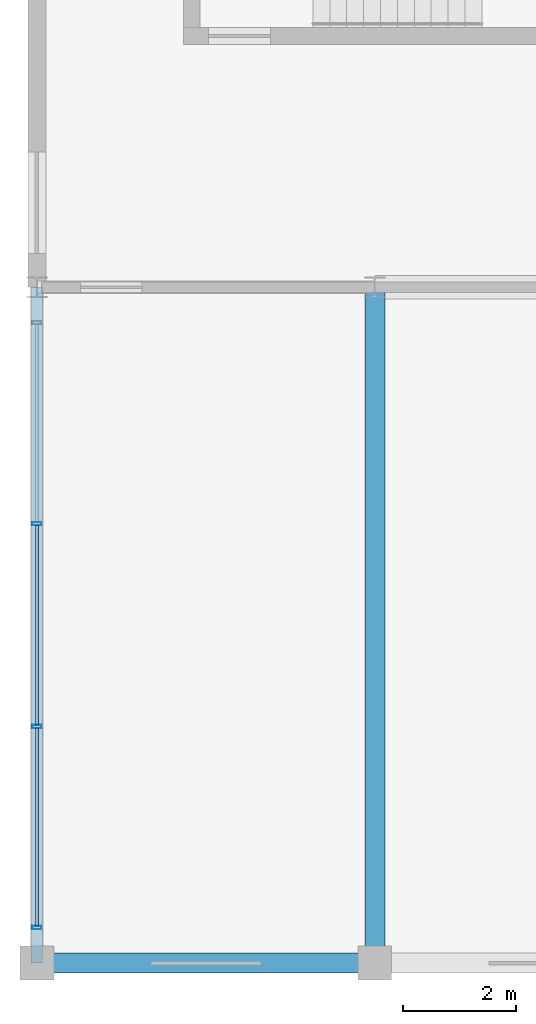
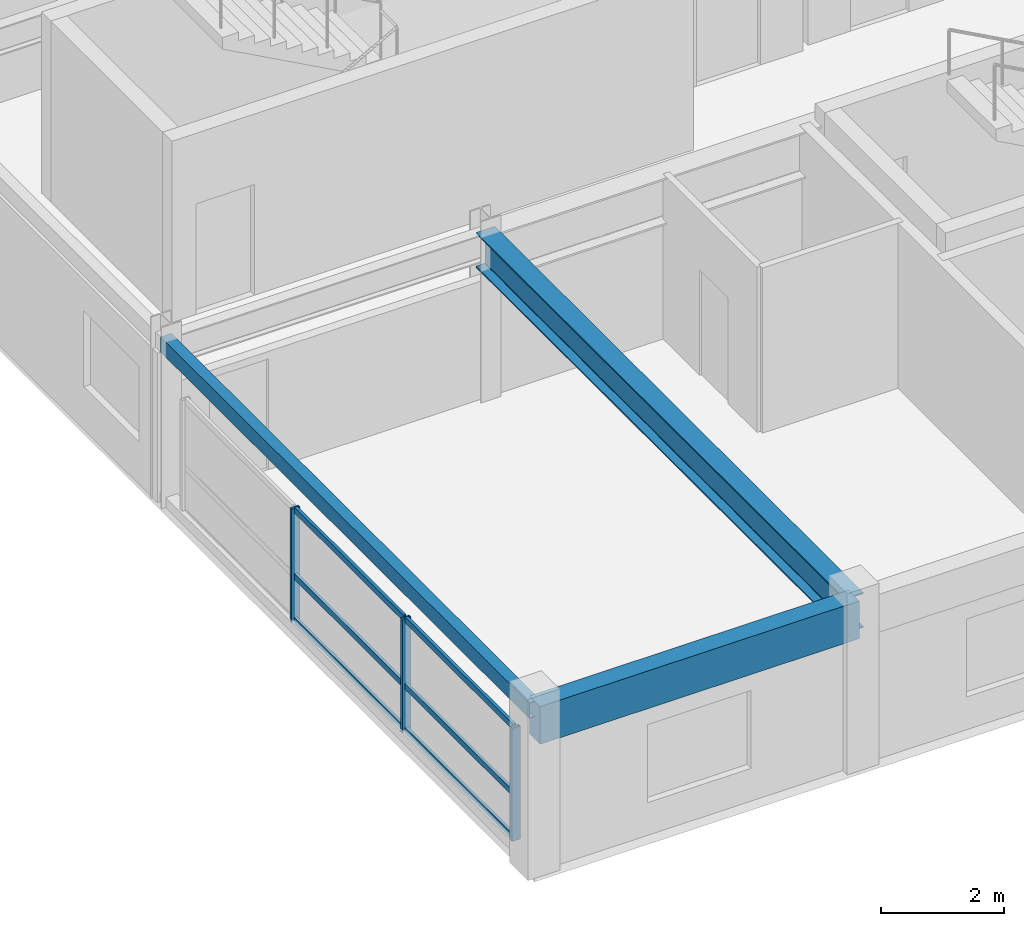
# One storey, part 2 of 22: 9 members, 3 beams, 1 element without a shape of its own.
"""IFC4 building model written with IfcOpenShell, lengths in metres."""

from ifc_helpers import new_model, si_unit, direction, frame, origin, origin_2d, place, context, subcontext, project, spatial, rectangle, hollow_rectangle, i_section, extrude, material, material_profile, profile_set, type_object, element, aggregate, save


model = new_model("IFC4")

# Units and contexts
model_context = context("Model", 3, precision=1e-05, world=origin(), true_north=direction((0.0, 1.0)))
body_context = subcontext(model_context, "Body", "Model", "MODEL_VIEW")
ifc_project = project(units=[si_unit("LENGTHUNIT", "METRE"), si_unit("AREAUNIT", "SQUARE_METRE"), si_unit("VOLUMEUNIT", "CUBIC_METRE"), si_unit("PLANEANGLEUNIT", "RADIAN"), si_unit("MASSUNIT", "GRAM", prefix="KILO")], contexts=[model_context])

# Site, building, storey
site_placement = place(None, origin())
site = spatial("IfcSite", under=ifc_project, at=site_placement, CompositionType="ELEMENT")
building_placement = place(site_placement, origin())
building = spatial("IfcBuilding", under=site, at=building_placement, Name="Kaldorvane Square Convention Centre", CompositionType="ELEMENT")
storey_placement = place(building_placement, frame((0.0, 0.0, 67.19999694824219)))
storey = spatial("IfcBuildingStorey", under=building, at=storey_placement, Name="L16", CompositionType="ELEMENT", Elevation=67.19999694824219)

# Beams
ifc_material_1 = material(Name="Steel ASTM A992 Gr. 50", Category="steel")
ifc_material_profile_1 = material_profile(ifc_material_1, i_section(OverallWidth=0.354705810546875, OverallDepth=0.69549560546875, WebThickness=0.0153961181640625, FlangeThickness=0.0251007080078125, FilletRadius=0.01519775390625, at=origin_2d()), Name="W27X146")
ifc_profile_set_1 = profile_set([ifc_material_profile_1], Name="Steel ASTM A992 Gr. 50")
beam_type_1 = type_object("IfcBeamType", Name="BM-GR-W27X146", PredefinedType="BEAM", material=ifc_profile_set_1)
beam_1_placement = place(storey_placement, frame((42.0, 84.0, 2.9282073974609375), z_axis=(0.0, 1.0, 0.0), x_axis=(-1.0, 0.0, 0.0)))
element("IfcBeam", 1, at=beam_1_placement, inside=storey, type_object=beam_type_1, Name="Transverse Girder (L16)", PredefinedType="BEAM", context=body_context, shape_type="SweptSolid", body=[
    extrude(i_section(OverallWidth=0.354705810546875, OverallDepth=0.69549560546875, WebThickness=0.0153961181640625, FlangeThickness=0.0251007080078125, FilletRadius=0.01519775390625, at=origin_2d()), origin(), (0.0, 0.0, 1.0), 12.0),
])
ifc_material_2 = material(Name="Steel ASTM A500 Gr. C", Category="steel")
ifc_material_profile_2 = material_profile(ifc_material_2, hollow_rectangle(XDim=0.2032012939453125, YDim=0.3047943115234375, WallThickness=0.0088958740234375, at=origin_2d()), Name="HSS12X8X3/8")
ifc_profile_set_2 = profile_set([ifc_material_profile_2], Name="Steel ASTM A500 Gr. C")
beam_type_2 = type_object("IfcBeamType", Name="BM-SP-HSS12", PredefinedType="SPANDREL", material=ifc_profile_set_2)
beam_2_placement = place(storey_placement, frame((36.0, 84.0, 3.12359619140625), z_axis=(0.0, 1.0, 0.0), x_axis=(-1.0, 0.0, 0.0)))
element("IfcBeam", 2, at=beam_2_placement, inside=storey, type_object=beam_type_2, Name="End Spandrel (L16)", PredefinedType="SPANDREL", context=body_context, shape_type="SweptSolid", body=[
    extrude(hollow_rectangle(XDim=0.2032012939453125, YDim=0.3047943115234375, WallThickness=0.0088958740234375, at=origin_2d()), origin(), (0.0, 0.0, 1.0), 12.0),
])
ifc_material_3 = material(Name="Concrete f'c = 42 MPa (Normalweight)", Category="concrete")
ifc_material_profile_3 = material_profile(ifc_material_3, rectangle(XDim=0.350006103515625, YDim=0.75, at=origin_2d()), Name="RCSP750X350")
ifc_profile_set_3 = profile_set([ifc_material_profile_3], Name="Concrete f'c = 42 MPa (Normalweight)")
beam_type_3 = type_object("IfcBeamType", Name="BM-SP-RC750", PredefinedType="SPANDREL", material=ifc_profile_set_3)
beam_3_placement = place(storey_placement, frame((36.0, 84.0, 2.9010009765625), z_axis=(1.0, 0.0, 0.0), x_axis=(0.0, 1.0, 0.0)))
element("IfcBeam", 3, at=beam_3_placement, inside=storey, type_object=beam_type_3, Name="Perimeter Spandrel (L16)", PredefinedType="SPANDREL", context=body_context, shape_type="SweptSolid", body=[
    extrude(rectangle(XDim=0.350006103515625, YDim=0.75, at=origin_2d()), origin(), (0.0, 0.0, 1.0), 6.0),
])

# Curtain wall, members
ifc_material_4 = material(Name="Anodized Aluminum and Low-E Insulated Glazing", Category="aluminium")
curtain_wall_type = type_object("IfcCurtainWallType", Name="CW-UNI-HTL-B", PredefinedType="USERDEFINED", material=ifc_material_4)
curtain_wall_placement = place(storey_placement, origin())
curtain_wall = element("IfcCurtainWall", 4, at=curtain_wall_placement, inside=storey, type_object=curtain_wall_type, Name="Curtain Wall CW-11 (L16)", ObjectType="UNITISED GLAZING", PredefinedType="USERDEFINED")
ifc_material_profile_4 = material_profile(ifc_material_4, hollow_rectangle(XDim=0.05999755859375, YDim=0.160003662109375, WallThickness=0.003204345703125, at=origin_2d()), Name="CWM-160X60")
ifc_profile_set_4 = profile_set([ifc_material_profile_4], Name="Anodized Aluminum and Low-E Insulated Glazing")
member_type_1 = type_object("IfcMemberType", Name="CW-MUL-160", PredefinedType="MULLION", material=ifc_profile_set_4)
member_1_placement = place(storey_placement, frame((36.0, 91.80000305175781, 0.1500091552734375), z_axis=(0.0, 0.0, 1.0), x_axis=(0.0, -1.0, 0.0)))
member_1 = element("IfcMember", 5, at=member_1_placement, type_object=member_type_1, Name="CW-11 mullion 2", PredefinedType="MULLION", context=body_context, shape_type="SweptSolid", body=[
    extrude(hollow_rectangle(XDim=0.05999755859375, YDim=0.160003662109375, WallThickness=0.003204345703125, at=origin_2d()), origin(), (0.0, 0.0, 1.0), 2.25),
])
member_2_placement = place(storey_placement, frame((36.0, 88.19999694824219, 0.1500091552734375), z_axis=(0.0, 0.0, 1.0), x_axis=(0.0, -1.0, 0.0)))
member_2 = element("IfcMember", 6, at=member_2_placement, type_object=member_type_1, Name="CW-11 mullion 3", PredefinedType="MULLION", context=body_context, shape_type="SweptSolid", body=[
    extrude(hollow_rectangle(XDim=0.05999755859375, YDim=0.160003662109375, WallThickness=0.003204345703125, at=origin_2d()), origin(), (0.0, 0.0, 1.0), 2.25),
])
member_3_placement = place(storey_placement, frame((36.0, 84.6300048828125, 0.1500091552734375), z_axis=(0.0, 0.0, 1.0), x_axis=(0.0, -1.0, 0.0)))
member_3 = element("IfcMember", 7, at=member_3_placement, type_object=member_type_1, Name="CW-11 mullion 4", PredefinedType="MULLION", context=body_context, shape_type="SweptSolid", body=[
    extrude(hollow_rectangle(XDim=0.05999755859375, YDim=0.160003662109375, WallThickness=0.003204345703125, at=origin_2d()), origin(), (0.0, 0.0, 1.0), 2.25),
])
ifc_material_profile_5 = material_profile(ifc_material_4, hollow_rectangle(XDim=0.05499267578125, YDim=0.1199951171875, WallThickness=0.0030059814453125, at=origin_2d()), Name="CWT-120X55")
ifc_profile_set_5 = profile_set([ifc_material_profile_5], Name="Anodized Aluminum and Low-E Insulated Glazing")
member_type_2 = type_object("IfcMemberType", Name="CW-TRN-120", PredefinedType="USERDEFINED", material=ifc_profile_set_5)
member_4_placement = place(storey_placement, frame((36.0, 91.77000427246094, 0.1775054931640625), z_axis=(0.0, -1.0, 0.0), x_axis=(1.0, 0.0, 0.0)))
member_4 = element("IfcMember", 8, at=member_4_placement, type_object=member_type_2, Name="CW-11 transom 2.1", ObjectType="TRANSOM", PredefinedType="USERDEFINED", context=body_context, shape_type="SweptSolid", body=[
    extrude(hollow_rectangle(XDim=0.05499267578125, YDim=0.1199951171875, WallThickness=0.0030059814453125, at=origin_2d()), origin(), (0.0, 0.0, 1.0), 3.540008544921875),
])
member_5_placement = place(storey_placement, frame((36.0, 91.77000427246094, 1.0500030517578125), z_axis=(0.0, -1.0, 0.0), x_axis=(1.0, 0.0, 0.0)))
member_5 = element("IfcMember", 9, at=member_5_placement, type_object=member_type_2, Name="CW-11 transom 2.2", ObjectType="TRANSOM", PredefinedType="USERDEFINED", context=body_context, shape_type="SweptSolid", body=[
    extrude(hollow_rectangle(XDim=0.05499267578125, YDim=0.1199951171875, WallThickness=0.0030059814453125, at=origin_2d()), origin(), (0.0, 0.0, 1.0), 3.540008544921875),
])
member_6_placement = place(storey_placement, frame((36.0, 91.77000427246094, 2.37249755859375), z_axis=(0.0, -1.0, 0.0), x_axis=(1.0, 0.0, 0.0)))
member_6 = element("IfcMember", 10, at=member_6_placement, type_object=member_type_2, Name="CW-11 transom 2.3", ObjectType="TRANSOM", PredefinedType="USERDEFINED", context=body_context, shape_type="SweptSolid", body=[
    extrude(hollow_rectangle(XDim=0.05499267578125, YDim=0.1199951171875, WallThickness=0.0030059814453125, at=origin_2d()), origin(), (0.0, 0.0, 1.0), 3.540008544921875),
])
member_7_placement = place(storey_placement, frame((36.0, 88.16999816894531, 0.1775054931640625), z_axis=(0.0, -1.0, 0.0), x_axis=(1.0, 0.0, 0.0)))
member_7 = element("IfcMember", 11, at=member_7_placement, type_object=member_type_2, Name="CW-11 transom 3.1", ObjectType="TRANSOM", PredefinedType="USERDEFINED", context=body_context, shape_type="SweptSolid", body=[
    extrude(hollow_rectangle(XDim=0.05499267578125, YDim=0.1199951171875, WallThickness=0.0030059814453125, at=origin_2d()), origin(), (0.0, 0.0, 1.0), 3.5099945068359375),
])
member_8_placement = place(storey_placement, frame((36.0, 88.16999816894531, 1.0500030517578125), z_axis=(0.0, -1.0, 0.0), x_axis=(1.0, 0.0, 0.0)))
member_8 = element("IfcMember", 12, at=member_8_placement, type_object=member_type_2, Name="CW-11 transom 3.2", ObjectType="TRANSOM", PredefinedType="USERDEFINED", context=body_context, shape_type="SweptSolid", body=[
    extrude(hollow_rectangle(XDim=0.05499267578125, YDim=0.1199951171875, WallThickness=0.0030059814453125, at=origin_2d()), origin(), (0.0, 0.0, 1.0), 3.5099945068359375),
])
member_9_placement = place(storey_placement, frame((36.0, 88.16999816894531, 2.37249755859375), z_axis=(0.0, -1.0, 0.0), x_axis=(1.0, 0.0, 0.0)))
member_9 = element("IfcMember", 13, at=member_9_placement, type_object=member_type_2, Name="CW-11 transom 3.3", ObjectType="TRANSOM", PredefinedType="USERDEFINED", context=body_context, shape_type="SweptSolid", body=[
    extrude(hollow_rectangle(XDim=0.05499267578125, YDim=0.1199951171875, WallThickness=0.0030059814453125, at=origin_2d()), origin(), (0.0, 0.0, 1.0), 3.5099945068359375),
])
aggregate(curtain_wall, [member_1, member_2, member_3, member_4, member_5, member_6, member_7, member_8, member_9])

save(model, "model.ifc")
